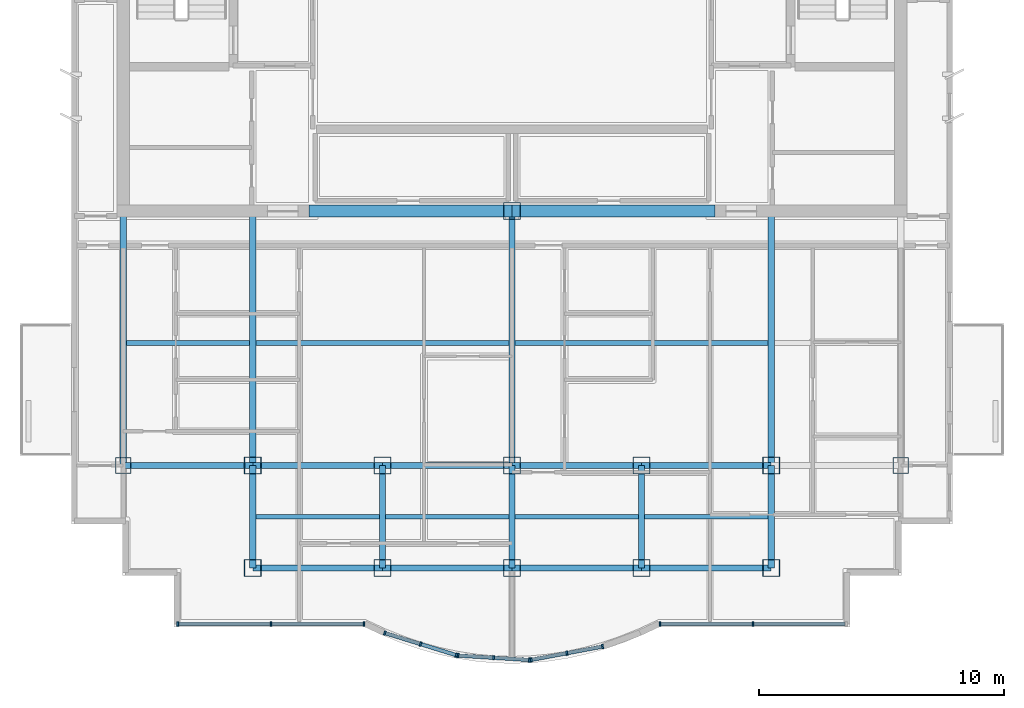
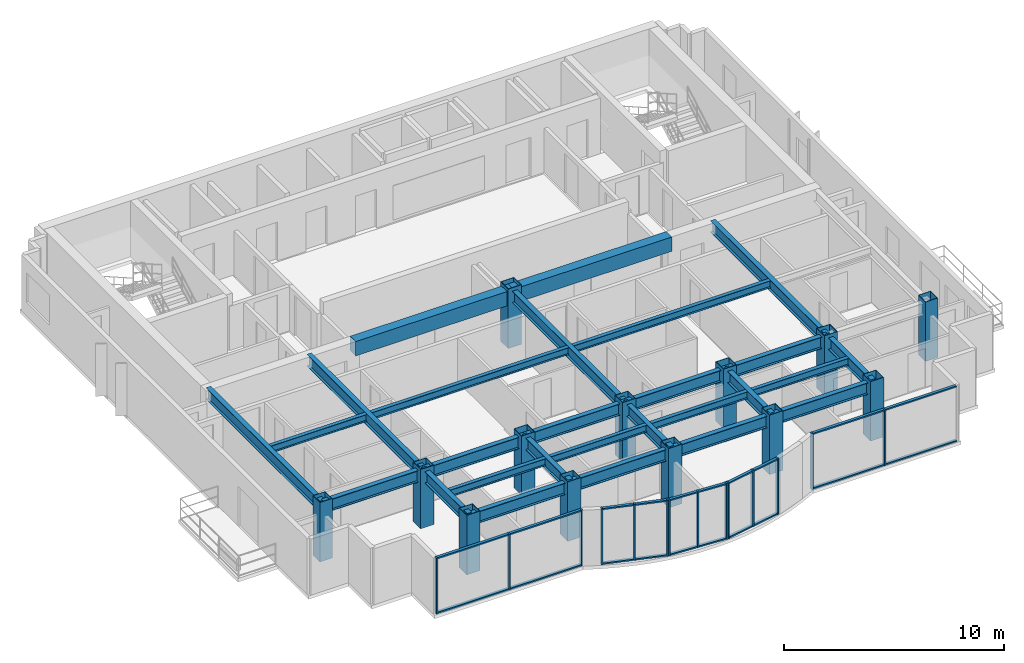
# One storey, part 1 of 9: 34 members, 27 beams, 13 columns, 5 elements without a shape of their own.
"""IFC4 building model written with IfcOpenShell, lengths in metres."""

import ifcopenshell
import ifcopenshell.guid

model = None  # the IFC model being written
_history = None  # IfcOwnerHistory: only IFC2X3 demands one
_inside = {}  # id of a spatial element -> (the spatial element, [elements in it])
_under = {}  # id of a project, library or spatial element -> (it, [spatial elements below it])
_declared = {}  # id of a project -> (the project, [libraries it declares])
_typed = {}  # id of a type object -> (the type object, [elements of that type])
_made_of = {}  # id of a material, layer set ... -> (it, [elements and type objects made of it])


def new_model(schema):
    """Start an empty IFC model of exactly this schema.

    Asked for "IFC4X3", IfcOpenShell would pick the latest addendum, in which some entities
    have other attributes; the version numbers below select the first issue.
    IFC2X3 requires an IfcOwnerHistory on every rooted entity: one is made here for all.
    """
    global model, _history
    if schema == "IFC4X3":
        model = ifcopenshell.file(schema_version=(4, 3, 0, 0))
    else:
        model = ifcopenshell.file(schema=schema)
    _inside.clear()
    _under.clear()
    _declared.clear()
    _typed.clear()
    _made_of.clear()
    _history = None
    if model.schema == "IFC2X3":
        org = make("IfcOrganization", Name="unknown")
        user = make(
            "IfcPersonAndOrganization",
            ThePerson=make("IfcPerson", FamilyName="unknown"),
            TheOrganization=org,
        )
        app = make(
            "IfcApplication",
            ApplicationDeveloper=org,
            Version="unknown",
            ApplicationFullName="unknown",
            ApplicationIdentifier="unknown",
        )
        _history = make(
            "IfcOwnerHistory",
            OwningUser=user,
            OwningApplication=app,
            ChangeAction="ADDED",
            CreationDate=0,
        )
    return model


def make(cls, **values):
    """One entity of the class cls with the attributes given. An attribute that is None is left unset."""
    return model.create_entity(
        cls, **{name: value for name, value in values.items() if value is not None}
    )


def rooted(cls, **values):
    """An entity with a GlobalId (a new one), such as an element, a storey or a relation."""
    return make(cls, GlobalId=ifcopenshell.guid.new(), OwnerHistory=_history, **values)


def si_unit(unit_type, name, prefix=None):
    """IfcSIUnit, for example si_unit("LENGTHUNIT", "METRE", prefix="MILLI")."""
    return make("IfcSIUnit", UnitType=unit_type, Prefix=prefix, Name=name)


def assignment(units):
    """IfcUnitAssignment: the units of a project."""
    return None if units is None else make("IfcUnitAssignment", Units=units)


def point(xyz):
    """IfcCartesianPoint."""
    return None if xyz is None else make("IfcCartesianPoint", Coordinates=xyz)


def direction(xyz):
    """IfcDirection."""
    return None if xyz is None else make("IfcDirection", DirectionRatios=xyz)


def frame(location, z_axis=None, x_axis=None):
    """IfcAxis2Placement3D, a coordinate frame: its origin and axes. An axis left out is left unset."""
    return make(
        "IfcAxis2Placement3D",
        Location=point(location),
        Axis=direction(z_axis),
        RefDirection=direction(x_axis),
    )


def frame_2d(location, x_axis=None):
    """IfcAxis2Placement2D, a coordinate frame in the plane: its origin and x axis."""
    return make(
        "IfcAxis2Placement2D", Location=point(location), RefDirection=direction(x_axis)
    )


def origin():
    """The frame at (0, 0, 0) with its axes left unset."""
    return frame((0.0, 0.0, 0.0))


def origin_2d():
    """The frame at (0, 0) in the plane with its x axis left unset."""
    return frame_2d((0.0, 0.0))


def place(relative_to, where):
    """IfcLocalPlacement: puts the frame where relative to a parent placement (None: the world)."""
    return make(
        "IfcLocalPlacement", PlacementRelTo=relative_to, RelativePlacement=where
    )


def context(
    kind, dimensions, precision=None, world=None, true_north=None, identifier=None
):
    """IfcGeometricRepresentationContext, for example the 3D "Model" context."""
    return make(
        "IfcGeometricRepresentationContext",
        ContextIdentifier=identifier,
        ContextType=kind,
        CoordinateSpaceDimension=dimensions,
        Precision=precision,
        WorldCoordinateSystem=world,
        TrueNorth=true_north,
    )


def subcontext(parent, identifier, kind, view, scale=None):
    """IfcGeometricRepresentationSubContext, for example "Body" below "Model"."""
    return make(
        "IfcGeometricRepresentationSubContext",
        ContextIdentifier=identifier,
        ContextType=kind,
        ParentContext=parent,
        TargetScale=scale,
        TargetView=view,
    )


def project(units=None, contexts=None):
    """IfcProject with its units and contexts."""
    return rooted(
        "IfcProject",
        Name="project",
        RepresentationContexts=contexts,
        UnitsInContext=assignment(units),
    )


def spatial(cls, under=None, at=None, **own):
    """A site, building, storey or space (cls), placed at a placement, below another one or the project."""
    s = rooted(cls, ObjectPlacement=at, **own)
    if under is not None:
        _under.setdefault(under.id(), (under, []))[1].append(s)
    return s


def profile(cls, at=None, kind="AREA", **sizes):
    """A parametric profile (cls). Its sizes go by their IFC names, for example OverallWidth=200.0."""
    return make(cls, ProfileType=kind, Position=at, **sizes)


def rectangle(**sizes):
    """IfcRectangleProfileDef."""
    return profile("IfcRectangleProfileDef", **sizes)


def hollow_rectangle(**sizes):
    """IfcRectangleHollowProfileDef."""
    return profile("IfcRectangleHollowProfileDef", **sizes)


def i_section(**sizes):
    """IfcIShapeProfileDef."""
    return profile("IfcIShapeProfileDef", **sizes)


def extrude(swept, where, along, depth):
    """IfcExtrudedAreaSolid: the profile swept, set in the frame where, extruded along a direction by depth."""
    return make(
        "IfcExtrudedAreaSolid",
        SweptArea=swept,
        Position=where,
        ExtrudedDirection=direction(along),
        Depth=depth,
    )


def shape(context_of_items, identifier, shape_type, items):
    """IfcShapeRepresentation: the items that make up one representation, for example the "Body"."""
    return make(
        "IfcShapeRepresentation",
        ContextOfItems=context_of_items,
        RepresentationIdentifier=identifier,
        RepresentationType=shape_type,
        Items=items,
    )


def source(mapping_origin, context_of_items, identifier, shape_type, items):
    """IfcRepresentationMap: a shape defined once, which mapped items show again and again."""
    return make(
        "IfcRepresentationMap",
        MappingOrigin=mapping_origin,
        MappedRepresentation=shape(context_of_items, identifier, shape_type, items),
    )


def transform(
    local_origin,
    x_axis=None,
    y_axis=None,
    z_axis=None,
    scale=None,
    scale2=None,
    scale3=None,
    uniform=True,
):
    """IfcCartesianTransformationOperator3D, or its non-uniform kind. x_axis, y_axis, z_axis: its Axis1, 2, 3."""
    if uniform:
        return make(
            "IfcCartesianTransformationOperator3D",
            Axis1=direction(x_axis),
            Axis2=direction(y_axis),
            LocalOrigin=point(local_origin),
            Scale=scale,
            Axis3=direction(z_axis),
        )
    return make(
        "IfcCartesianTransformationOperator3DnonUniform",
        Axis1=direction(x_axis),
        Axis2=direction(y_axis),
        LocalOrigin=point(local_origin),
        Scale=scale,
        Axis3=direction(z_axis),
        Scale2=scale2,
        Scale3=scale3,
    )


def mapped(mapping_source, mapping_target):
    """IfcMappedItem: shows the shape of a source again, moved by a transform."""
    return make(
        "IfcMappedItem", MappingSource=mapping_source, MappingTarget=mapping_target
    )


def material(Name=None, Category=None):
    """IfcMaterial."""
    return make("IfcMaterial", Name=Name, Category=Category)


def layer(
    of_material, thickness, ventilated=None, Name=None, Category=None, Priority=None
):
    """IfcMaterialLayer: one layer of a wall or slab, of a material (None: an air gap)."""
    return make(
        "IfcMaterialLayer",
        Material=of_material,
        LayerThickness=thickness,
        IsVentilated=ventilated,
        Name=Name,
        Category=Category,
        Priority=Priority,
    )


def layer_set(layers, Name=None):
    """IfcMaterialLayerSet."""
    return make("IfcMaterialLayerSet", MaterialLayers=layers, LayerSetName=Name)


def material_profile(
    of_material, cross_section, Name=None, Category=None, Priority=None
):
    """IfcMaterialProfile: a cross section and its material."""
    return make(
        "IfcMaterialProfile",
        Name=Name,
        Material=of_material,
        Profile=cross_section,
        Priority=Priority,
        Category=Category,
    )


def profile_set(profiles, Name=None, composite=None):
    """IfcMaterialProfileSet."""
    return make(
        "IfcMaterialProfileSet",
        Name=Name,
        MaterialProfiles=profiles,
        CompositeProfile=composite,
    )


def made_of(thing, what):
    """Note that an element or type object is made of a material, layer set ...; save() writes the relation."""
    if what is not None:
        _made_of.setdefault(what.id(), (what, []))[1].append(thing)
    return thing


def type_object(cls, material=None, **own):
    """A type object (cls), such as IfcWallType, which elements share."""
    return made_of(rooted(cls, **own), material)


def element(
    cls,
    number,
    at=None,
    inside=None,
    cuts=None,
    type_object=None,
    material=None,
    context=None,
    identifier="Body",
    shape_type=None,
    held_by="IfcProductDefinitionShape",
    body=None,
    shapes=None,
    **own,
):
    """One element of the class cls, such as IfcWall. Its Tag is "e" and its number.

    at: its placement. inside: the storey or other place that contains it. cuts: it is an
    opening in that element (IfcRelVoidsElement). A single representation is given by context,
    identifier, shape_type and body (its items); several are given by shapes. held_by: the class
    of the entity that holds the representations. save() writes the other relations.
    """
    e = rooted(cls, Tag="e%d" % number, ObjectPlacement=at, **own)
    if body is not None:
        shapes = [shape(context, identifier, shape_type, body)]
    if shapes is not None:
        e.Representation = make(held_by, Representations=shapes)
    if inside is not None:
        _inside.setdefault(inside.id(), (inside, []))[1].append(e)
    if cuts is not None:
        rooted(
            "IfcRelVoidsElement", RelatingBuildingElement=cuts, RelatedOpeningElement=e
        )
    if type_object is not None:
        _typed.setdefault(type_object.id(), (type_object, []))[1].append(e)
    return made_of(e, material)


def aggregate(whole, parts):
    """IfcRelAggregates: a whole, such as a stair, and the parts it consists of."""
    return rooted("IfcRelAggregates", RelatingObject=whole, RelatedObjects=parts)


def save(model, path):
    """Write the relations noted so far, then the file.

    IfcRelAggregates (storeys below a building ...), IfcRelContainedInSpatialStructure (elements
    in a storey), IfcRelDefinesByType, IfcRelAssociatesMaterial and IfcRelDeclares: one each for
    every whole, place, type object, material and project.
    """
    for whole, parts in _under.values():
        aggregate(whole, parts)
    for where, things in _inside.values():
        rooted(
            "IfcRelContainedInSpatialStructure",
            RelatedElements=things,
            RelatingStructure=where,
        )
    for kind, things in _typed.values():
        rooted("IfcRelDefinesByType", RelatedObjects=things, RelatingType=kind)
    for what, things in _made_of.values():
        rooted("IfcRelAssociatesMaterial", RelatedObjects=things, RelatingMaterial=what)
    for by, libraries in _declared.values():
        rooted("IfcRelDeclares", RelatingContext=by, RelatedDefinitions=libraries)
    model.write(path)


model = new_model("IFC4")

# Units and contexts
model_context = context("Model", 3, precision=1e-05, world=origin(), true_north=direction((0.0, 1.0)))
body_context = subcontext(model_context, "Body", "Model", "MODEL_VIEW")
ifc_project = project(units=[si_unit("LENGTHUNIT", "METRE"), si_unit("AREAUNIT", "SQUARE_METRE"), si_unit("VOLUMEUNIT", "CUBIC_METRE"), si_unit("PLANEANGLEUNIT", "RADIAN"), si_unit("MASSUNIT", "GRAM", prefix="KILO")], contexts=[model_context])

# Site, building, storey
site_placement = place(None, origin())
site = spatial("IfcSite", under=ifc_project, at=site_placement, CompositionType="ELEMENT")
building_placement = place(site_placement, origin())
building = spatial("IfcBuilding", under=site, at=building_placement, Name="Qianlan Lanfeng Residences", CompositionType="ELEMENT")
storey_placement = place(building_placement, frame((0.0, 0.0, 252.800048828125)))
storey = spatial("IfcBuildingStorey", under=building, at=storey_placement, Name="L70", CompositionType="ELEMENT", Elevation=252.800048828125)

# Columns
ifc_material_1 = material(Name="Steel SN490B", Category="steel")
ifc_material_profile_1 = material_profile(ifc_material_1, hollow_rectangle(XDim=0.699951171875, YDim=0.699951171875, WallThickness=0.02490234375, at=origin_2d()), Name="BOX 700x700x25")
ifc_profile_set_1 = profile_set([ifc_material_profile_1], Name="Steel SN490B")
column_type_1 = type_object("IfcColumnType", Name="C-B750", PredefinedType="COLUMN", material=ifc_profile_set_1)
for number, where, z_axis, x_axis, name in (
    (1, (26.5, 25.199951171875, 0.0), (0.0, 0.0, 1.0), (1.0, 0.0, 0.0), "L70 Structural Column CP_26.5_25.2"),
    (2, (15.89990234375, 14.800048828125, 0.0), (0.0, 0.0, 1.0), (1.0, 0.0, 0.0), "L70 Structural Column M_15.90_14.80"),
    (3, (15.89990234375, 10.60009765625, 0.0), (0.0, 0.0, 1.0), (1.0, 0.0, 0.0), "L70 Structural Column G_15.90_10.60"),
    (4, (21.199951171875, 14.800048828125, 0.0), (0.0, 0.0, 1.0), (1.0, 0.0, 0.0), "L70 Structural Column M_21.20_14.80"),
    (5, (21.199951171875, 10.60009765625, 0.0), (0.0, 0.0, 1.0), (1.0, 0.0, 0.0), "L70 Structural Column G_21.20_10.60"),
    (6, (26.5, 14.800048828125, 0.0), (0.0, 0.0, 1.0), (1.0, 0.0, 0.0), "L70 Structural Column M_26.50_14.80"),
    (7, (26.5, 10.60009765625, 0.0), (0.0, 0.0, 1.0), (1.0, 0.0, 0.0), "L70 Structural Column G_26.50_10.60"),
    (8, (31.800048828125, 14.800048828125, 0.0), (0.0, 0.0, 1.0), (1.0, 0.0, 0.0), "L70 Structural Column M_31.80_14.80"),
    (9, (31.800048828125, 10.60009765625, 0.0), (0.0, 0.0, 1.0), (1.0, 0.0, 0.0), "L70 Structural Column G_31.80_10.60"),
    (10, (37.10009765625, 14.800048828125, 0.0), (0.0, 0.0, 1.0), (1.0, 0.0, 0.0), "L70 Structural Column M_37.10_14.80"),
    (11, (37.10009765625, 10.60009765625, 0.0), (0.0, 0.0, 1.0), (1.0, 0.0, 0.0), "L70 Structural Column G_37.10_10.60"),
):
    element("IfcColumn", number, at=place(storey_placement, frame(where, z_axis=z_axis, x_axis=x_axis)), inside=storey, type_object=column_type_1, Name=name, PredefinedType="COLUMN", context=body_context, shape_type="SweptSolid", body=[
        extrude(hollow_rectangle(XDim=0.699951171875, YDim=0.699951171875, WallThickness=0.02490234375, at=origin_2d()), origin(), (0.0, 0.0, 1.0), 3.300048828125),
    ])
ifc_material_profile_2 = material_profile(ifc_material_1, hollow_rectangle(XDim=0.64990234375, YDim=0.64990234375, WallThickness=0.02197265625, at=origin_2d()), Name="BOX 650x650x22")
ifc_profile_set_2 = profile_set([ifc_material_profile_2], Name="Steel SN490B")
column_type_2 = type_object("IfcColumnType", Name="CE-B700", PredefinedType="COLUMN", material=ifc_profile_set_2)
for number, where, z_axis, x_axis, name in (
    (12, (10.60009765625, 14.800048828125, 0.0), (0.0, 0.0, 1.0), (1.0, 0.0, 0.0), "L70 Structural Column M_10.60_14.80"),
    (13, (42.39990234375, 14.800048828125, 0.0), (0.0, 0.0, 1.0), (1.0, 0.0, 0.0), "L70 Structural Column M_42.40_14.80"),
):
    element("IfcColumn", number, at=place(storey_placement, frame(where, z_axis=z_axis, x_axis=x_axis)), inside=storey, type_object=column_type_2, Name=name, PredefinedType="COLUMN", context=body_context, shape_type="SweptSolid", body=[
        extrude(hollow_rectangle(XDim=0.64990234375, YDim=0.64990234375, WallThickness=0.02197265625, at=origin_2d()), origin(), (0.0, 0.0, 1.0), 3.300048828125),
    ])

# Beams
ifc_material_profile_3 = material_profile(ifc_material_1, i_section(OverallWidth=0.25, OverallDepth=0.64990234375, WebThickness=0.012939453125, FlangeThickness=0.02197265625, at=origin_2d()), Name="H 650x250x13x22")
ifc_profile_set_3 = profile_set([ifc_material_profile_3], Name="Steel SN490B")
beam_type_1 = type_object("IfcBeamType", Name="G-650", PredefinedType="BEAM", material=ifc_profile_set_3)
for number, where, z_axis, x_axis, name in (
    (14, (15.89990234375, 10.60009765625, 2.784912109375), (1.0, 0.0, 0.0), (0.0, 1.0, 0.0), "Structural beam G-650"),
    (15, (21.199951171875, 10.60009765625, 2.784912109375), (1.0, 0.0, 0.0), (0.0, 1.0, 0.0), "Structural beam G-650"),
    (16, (26.5, 10.60009765625, 2.784912109375), (1.0, 0.0, 0.0), (0.0, 1.0, 0.0), "Structural beam G-650"),
    (17, (31.800048828125, 10.60009765625, 2.784912109375), (1.0, 0.0, 0.0), (0.0, 1.0, 0.0), "Structural beam G-650"),
):
    element("IfcBeam", number, at=place(storey_placement, frame(where, z_axis=z_axis, x_axis=x_axis)), inside=storey, type_object=beam_type_1, Name=name, PredefinedType="BEAM", context=body_context, shape_type="SweptSolid", body=[
        extrude(i_section(OverallWidth=0.25, OverallDepth=0.64990234375, WebThickness=0.012939453125, FlangeThickness=0.02197265625, at=origin_2d()), origin(), (0.0, 0.0, 1.0), 5.300048828125),
    ])
beam_1_placement = place(storey_placement, frame((10.60009765625, 14.800048828125, 2.784912109375), z_axis=(1.0, 0.0, 0.0), x_axis=(0.0, 1.0, 0.0)))
element("IfcBeam", 18, at=beam_1_placement, inside=storey, type_object=beam_type_1, Name="Structural beam G-650", PredefinedType="BEAM", context=body_context, shape_type="SweptSolid", body=[
    extrude(i_section(OverallWidth=0.25, OverallDepth=0.64990234375, WebThickness=0.012939453125, FlangeThickness=0.02197265625, at=origin_2d()), origin(), (0.0, 0.0, 1.0), 5.2998046875),
])
for number, where, z_axis, x_axis, name in (
    (19, (15.89990234375, 14.800048828125, 2.784912109375), (1.0, 0.0, 0.0), (0.0, 1.0, 0.0), "Structural beam G-650"),
    (20, (21.199951171875, 14.800048828125, 2.784912109375), (1.0, 0.0, 0.0), (0.0, 1.0, 0.0), "Structural beam G-650"),
    (21, (26.5, 14.800048828125, 2.784912109375), (1.0, 0.0, 0.0), (0.0, 1.0, 0.0), "Structural beam G-650"),
    (22, (31.800048828125, 14.800048828125, 2.784912109375), (1.0, 0.0, 0.0), (0.0, 1.0, 0.0), "Structural beam G-650"),
):
    element("IfcBeam", number, at=place(storey_placement, frame(where, z_axis=z_axis, x_axis=x_axis)), inside=storey, type_object=beam_type_1, Name=name, PredefinedType="BEAM", context=body_context, shape_type="SweptSolid", body=[
        extrude(i_section(OverallWidth=0.25, OverallDepth=0.64990234375, WebThickness=0.012939453125, FlangeThickness=0.02197265625, at=origin_2d()), origin(), (0.0, 0.0, 1.0), 5.300048828125),
    ])
beam_2_placement = place(storey_placement, frame((10.60009765625, 14.800048828125, 2.784912109375), z_axis=(0.0, 1.0, 0.0), x_axis=(-1.0, 0.0, 0.0)))
element("IfcBeam", 23, at=beam_2_placement, inside=storey, type_object=beam_type_1, Name="Structural beam G-650", PredefinedType="BEAM", context=body_context, shape_type="SweptSolid", body=[
    extrude(i_section(OverallWidth=0.25, OverallDepth=0.64990234375, WebThickness=0.012939453125, FlangeThickness=0.02197265625, at=origin_2d()), origin(), (0.0, 0.0, 1.0), 10.39990234375),
])
beam_3_placement = place(storey_placement, frame((15.89990234375, 10.60009765625, 2.784912109375), z_axis=(0.0, 1.0, 0.0), x_axis=(-1.0, 0.0, 0.0)))
element("IfcBeam", 24, at=beam_3_placement, inside=storey, type_object=beam_type_1, Name="Structural beam G-650", PredefinedType="BEAM", context=body_context, shape_type="SweptSolid", body=[
    extrude(i_section(OverallWidth=0.25, OverallDepth=0.64990234375, WebThickness=0.012939453125, FlangeThickness=0.02197265625, at=origin_2d()), origin(), (0.0, 0.0, 1.0), 4.199951171875),
])
beam_4_placement = place(storey_placement, frame((15.89990234375, 14.800048828125, 2.784912109375), z_axis=(0.0, 1.0, 0.0), x_axis=(-1.0, 0.0, 0.0)))
element("IfcBeam", 25, at=beam_4_placement, inside=storey, type_object=beam_type_1, Name="Structural beam G-650", PredefinedType="BEAM", context=body_context, shape_type="SweptSolid", body=[
    extrude(i_section(OverallWidth=0.25, OverallDepth=0.64990234375, WebThickness=0.012939453125, FlangeThickness=0.02197265625, at=origin_2d()), origin(), (0.0, 0.0, 1.0), 10.39990234375),
])
for number, where, z_axis, x_axis, name in (
    (26, (21.199951171875, 10.60009765625, 2.784912109375), (0.0, 1.0, 0.0), (-1.0, 0.0, 0.0), "Structural beam G-650"),
    (27, (26.5, 10.60009765625, 2.784912109375), (0.0, 1.0, 0.0), (-1.0, 0.0, 0.0), "Structural beam G-650"),
):
    element("IfcBeam", number, at=place(storey_placement, frame(where, z_axis=z_axis, x_axis=x_axis)), inside=storey, type_object=beam_type_1, Name=name, PredefinedType="BEAM", context=body_context, shape_type="SweptSolid", body=[
        extrude(i_section(OverallWidth=0.25, OverallDepth=0.64990234375, WebThickness=0.012939453125, FlangeThickness=0.02197265625, at=origin_2d()), origin(), (0.0, 0.0, 1.0), 4.199951171875),
    ])
beam_5_placement = place(storey_placement, frame((26.5, 14.800048828125, 2.784912109375), z_axis=(0.0, 1.0, 0.0), x_axis=(-1.0, 0.0, 0.0)))
element("IfcBeam", 28, at=beam_5_placement, inside=storey, type_object=beam_type_1, Name="Structural beam G-650", PredefinedType="BEAM", context=body_context, shape_type="SweptSolid", body=[
    extrude(i_section(OverallWidth=0.25, OverallDepth=0.64990234375, WebThickness=0.012939453125, FlangeThickness=0.02197265625, at=origin_2d()), origin(), (0.0, 0.0, 1.0), 10.39990234375),
])
for number, where, z_axis, x_axis, name in (
    (29, (31.800048828125, 10.60009765625, 2.784912109375), (0.0, 1.0, 0.0), (-1.0, 0.0, 0.0), "Structural beam G-650"),
    (30, (37.10009765625, 10.60009765625, 2.784912109375), (0.0, 1.0, 0.0), (-1.0, 0.0, 0.0), "Structural beam G-650"),
):
    element("IfcBeam", number, at=place(storey_placement, frame(where, z_axis=z_axis, x_axis=x_axis)), inside=storey, type_object=beam_type_1, Name=name, PredefinedType="BEAM", context=body_context, shape_type="SweptSolid", body=[
        extrude(i_section(OverallWidth=0.25, OverallDepth=0.64990234375, WebThickness=0.012939453125, FlangeThickness=0.02197265625, at=origin_2d()), origin(), (0.0, 0.0, 1.0), 4.199951171875),
    ])
beam_6_placement = place(storey_placement, frame((37.10009765625, 14.800048828125, 2.784912109375), z_axis=(0.0, 1.0, 0.0), x_axis=(-1.0, 0.0, 0.0)))
element("IfcBeam", 31, at=beam_6_placement, inside=storey, type_object=beam_type_1, Name="Structural beam G-650", PredefinedType="BEAM", context=body_context, shape_type="SweptSolid", body=[
    extrude(i_section(OverallWidth=0.25, OverallDepth=0.64990234375, WebThickness=0.012939453125, FlangeThickness=0.02197265625, at=origin_2d()), origin(), (0.0, 0.0, 1.0), 10.39990234375),
])
ifc_material_profile_4 = material_profile(ifc_material_1, i_section(OverallWidth=0.199951171875, OverallDepth=0.39990234375, WebThickness=0.008056640625, FlangeThickness=0.012939453125, at=origin_2d()), Name="H 400x200x8x13")
ifc_profile_set_4 = profile_set([ifc_material_profile_4], Name="Steel SN490B")
beam_type_2 = type_object("IfcBeamType", Name="J-400", PredefinedType="JOIST", material=ifc_profile_set_4)
for number, where, z_axis, x_axis, name in (
    (32, (16.02490234375, 12.699951171875, 2.909912109375), (1.0, 0.0, 0.0), (0.0, 1.0, 0.0), "Structural beam J-400"),
    (33, (21.324951171875, 12.699951171875, 2.909912109375), (1.0, 0.0, 0.0), (0.0, 1.0, 0.0), "Structural beam J-400"),
    (34, (26.625, 12.699951171875, 2.909912109375), (1.0, 0.0, 0.0), (0.0, 1.0, 0.0), "Structural beam J-400"),
    (35, (31.925048828125, 12.699951171875, 2.909912109375), (1.0, 0.0, 0.0), (0.0, 1.0, 0.0), "Structural beam J-400"),
):
    element("IfcBeam", number, at=place(storey_placement, frame(where, z_axis=z_axis, x_axis=x_axis)), inside=storey, type_object=beam_type_2, Name=name, PredefinedType="JOIST", context=body_context, shape_type="SweptSolid", body=[
        extrude(i_section(OverallWidth=0.199951171875, OverallDepth=0.39990234375, WebThickness=0.008056640625, FlangeThickness=0.012939453125, at=origin_2d()), origin(), (0.0, 0.0, 1.0), 5.050048828125),
    ])
beam_7_placement = place(storey_placement, frame((10.72509765625, 19.800048828125, 2.909912109375), z_axis=(1.0, 0.0, 0.0), x_axis=(0.0, 1.0, 0.0)))
element("IfcBeam", 36, at=beam_7_placement, inside=storey, type_object=beam_type_2, Name="Structural beam J-400", PredefinedType="JOIST", context=body_context, shape_type="SweptSolid", body=[
    extrude(i_section(OverallWidth=0.199951171875, OverallDepth=0.39990234375, WebThickness=0.008056640625, FlangeThickness=0.012939453125, at=origin_2d()), origin(), (0.0, 0.0, 1.0), 5.0498046875),
])
for number, where, z_axis, x_axis, name in (
    (37, (16.02490234375, 19.800048828125, 2.909912109375), (1.0, 0.0, 0.0), (0.0, 1.0, 0.0), "Structural beam J-400"),
    (38, (26.625, 19.800048828125, 2.909912109375), (1.0, 0.0, 0.0), (0.0, 1.0, 0.0), "Structural beam J-400"),
):
    element("IfcBeam", number, at=place(storey_placement, frame(where, z_axis=z_axis, x_axis=x_axis)), inside=storey, type_object=beam_type_2, Name=name, PredefinedType="JOIST", context=body_context, shape_type="SweptSolid", body=[
        extrude(i_section(OverallWidth=0.199951171875, OverallDepth=0.39990234375, WebThickness=0.008056640625, FlangeThickness=0.012939453125, at=origin_2d()), origin(), (0.0, 0.0, 1.0), 10.35009765625),
    ])
ifc_material_2 = material(Name="Concrete C49", Category="concrete")
ifc_material_profile_5 = material_profile(ifc_material_2, rectangle(XDim=0.5, YDim=0.800048828125, at=origin_2d()), Name="RC 500x800")
ifc_profile_set_5 = profile_set([ifc_material_profile_5], Name="Concrete C49")
beam_type_3 = type_object("IfcBeamType", Name="LB-RC750", PredefinedType="BEAM", material=ifc_profile_set_5)
for number, where, z_axis, x_axis, name in (
    (39, (18.199951171875, 25.199951171875, 2.7099609375), (1.0, 0.0, 0.0), (0.0, 1.0, 0.0), "L70 Core Coupling Beam W"),
    (40, (26.5, 25.199951171875, 2.7099609375), (1.0, 0.0, 0.0), (0.0, 1.0, 0.0), "L70 Core Coupling Beam E"),
):
    element("IfcBeam", number, at=place(storey_placement, frame(where, z_axis=z_axis, x_axis=x_axis)), inside=storey, type_object=beam_type_3, Name=name, PredefinedType="BEAM", context=body_context, shape_type="SweptSolid", body=[
        extrude(rectangle(XDim=0.5, YDim=0.800048828125, at=origin_2d()), origin(), (0.0, 0.0, 1.0), 8.300048828125),
    ])

# Curtain wall, members
ifc_material_3 = material(Name="Anodised Bronze Aluminium 6063-T6", Category="aluminium")
ifc_layer = layer(ifc_material_3, 0.219970703125)
ifc_layer_set = layer_set([ifc_layer], Name="Anodised Bronze Aluminium 6063-T6")
curtain_wall_type = type_object("IfcCurtainWallType", Name="CW-06", PredefinedType="NOTDEFINED", material=ifc_layer_set)
curtain_wall_1_placement = place(storey_placement, origin())
curtain_wall_1 = element("IfcCurtainWall", 41, at=curtain_wall_1_placement, inside=storey, type_object=curtain_wall_type, Name="L70 Unitised Curtain Wall CWR-L70-01 (CW-06)", PredefinedType="NOTDEFINED")
ifc_material_profile_6 = material_profile(ifc_material_3, rectangle(XDim=0.074951171875, YDim=0.179931640625, at=origin_2d()), Name="ALU MULLION 75x180")
ifc_profile_set_6 = profile_set([ifc_material_profile_6], Name="Anodised Bronze Aluminium 6063-T6")
member_type_1 = type_object("IfcMemberType", Name="CWM-180", PredefinedType="MULLION", material=ifc_profile_set_6)
shared_shape_1 = source(origin(), body_context, "Body", "SweptSolid", [
    extrude(rectangle(XDim=0.074951171875, YDim=0.179931640625, at=origin_2d()), origin(), (0.0, 0.0, 1.0), 3.10986328125),
])
member_1_placement = place(storey_placement, frame((12.83740234375, 8.320068359375, 0.0), z_axis=(0.0, 0.0, 1.0), x_axis=(1.0, 0.0, 0.0)))
member_1 = element("IfcMember", 42, at=member_1_placement, type_object=member_type_1, Name="CWR-L70-01 Mullion 1", PredefinedType="MULLION", context=body_context, shape_type="MappedRepresentation", body=[
    mapped(shared_shape_1, transform((0.0, 0.0, 0.0), scale=1.0)),
])
member_2_placement = place(storey_placement, frame((16.6435546875, 8.320068359375, 0.0), z_axis=(0.0, 0.0, 1.0), x_axis=(1.0, 0.0, 0.0)))
member_2 = element("IfcMember", 43, at=member_2_placement, type_object=member_type_1, Name="CWR-L70-01 Mullion 2", PredefinedType="MULLION", context=body_context, shape_type="MappedRepresentation", body=[
    mapped(shared_shape_1, transform((0.0, 0.0, 0.0), scale=1.0)),
])
member_3_placement = place(storey_placement, frame((20.449462890625, 8.320068359375, 0.0), z_axis=(0.0, 0.0, 1.0), x_axis=(1.0, 0.0, 0.0)))
member_3 = element("IfcMember", 44, at=member_3_placement, type_object=member_type_1, Name="CWR-L70-01 Mullion 3", PredefinedType="MULLION", context=body_context, shape_type="MappedRepresentation", body=[
    mapped(shared_shape_1, transform((0.0, 0.0, 0.0), scale=1.0)),
])

curtain_wall_2_placement = place(storey_placement, origin())
curtain_wall_2 = element("IfcCurtainWall", 45, at=curtain_wall_2_placement, inside=storey, type_object=curtain_wall_type, Name="L70 Unitised Curtain Wall CWR-L70-02 (CW-06)", PredefinedType="NOTDEFINED")
member_4_placement = place(storey_placement, frame((21.298828125, 7.947021484375, 0.0), z_axis=(0.0, 0.0, 1.0), x_axis=(0.955079962155, -0.296348217287, 0.0)))
member_4 = element("IfcMember", 46, at=member_4_placement, type_object=member_type_1, Name="CWR-L70-02 Mullion 1", PredefinedType="MULLION", context=body_context, shape_type="MappedRepresentation", body=[
    mapped(shared_shape_1, transform((0.0, 0.0, 0.0), scale=1.0)),
])
member_5_placement = place(storey_placement, frame((22.760009765625, 7.493408203125, 0.0), z_axis=(0.0, 0.0, 1.0), x_axis=(0.955079962155, -0.296348217287, 0.0)))
member_5 = element("IfcMember", 47, at=member_5_placement, type_object=member_type_1, Name="CWR-L70-02 Mullion 2", PredefinedType="MULLION", context=body_context, shape_type="MappedRepresentation", body=[
    mapped(shared_shape_1, transform((0.0, 0.0, 0.0), scale=1.0)),
])
member_6_placement = place(storey_placement, frame((24.22119140625, 7.0400390625, 0.0), z_axis=(0.0, 0.0, 1.0), x_axis=(0.955079962155, -0.296348217287, 0.0)))
member_6 = element("IfcMember", 48, at=member_6_placement, type_object=member_type_1, Name="CWR-L70-02 Mullion 3", PredefinedType="MULLION", context=body_context, shape_type="MappedRepresentation", body=[
    mapped(shared_shape_1, transform((0.0, 0.0, 0.0), scale=1.0)),
])

curtain_wall_3_placement = place(storey_placement, origin())
curtain_wall_3 = element("IfcCurtainWall", 49, at=curtain_wall_3_placement, inside=storey, type_object=curtain_wall_type, Name="L70 Unitised Curtain Wall CWR-L70-03 (CW-06)", PredefinedType="NOTDEFINED")
member_7_placement = place(storey_placement, frame((24.29443359375, 7.026611328125, 0.0), z_axis=(0.0, 0.0, 1.0), x_axis=(0.998072054859, -0.062065878781, 0.0)))
member_7 = element("IfcMember", 50, at=member_7_placement, type_object=member_type_1, Name="CWR-L70-03 Mullion 1", PredefinedType="MULLION", context=body_context, shape_type="MappedRepresentation", body=[
    mapped(shared_shape_1, transform((0.0, 0.0, 0.0), scale=1.0)),
])
member_8_placement = place(storey_placement, frame((25.75244140625, 6.93603515625, 0.0), z_axis=(0.0, 0.0, 1.0), x_axis=(0.998072054859, -0.062065878781, 0.0)))
member_8 = element("IfcMember", 51, at=member_8_placement, type_object=member_type_1, Name="CWR-L70-03 Mullion 2", PredefinedType="MULLION", context=body_context, shape_type="MappedRepresentation", body=[
    mapped(shared_shape_1, transform((0.0, 0.0, 0.0), scale=1.0)),
])
member_9_placement = place(storey_placement, frame((27.210693359375, 6.84521484375, 0.0), z_axis=(0.0, 0.0, 1.0), x_axis=(0.998072054859, -0.062065878781, 0.0)))
member_9 = element("IfcMember", 52, at=member_9_placement, type_object=member_type_1, Name="CWR-L70-03 Mullion 3", PredefinedType="MULLION", context=body_context, shape_type="MappedRepresentation", body=[
    mapped(shared_shape_1, transform((0.0, 0.0, 0.0), scale=1.0)),
])

curtain_wall_4_placement = place(storey_placement, origin())
curtain_wall_4 = element("IfcCurtainWall", 53, at=curtain_wall_4_placement, inside=storey, type_object=curtain_wall_type, Name="L70 Unitised Curtain Wall CWR-L70-04 (CW-06)", PredefinedType="NOTDEFINED")
member_10_placement = place(storey_placement, frame((27.284912109375, 6.849853515625, 0.0), z_axis=(0.0, 0.0, 1.0), x_axis=(0.983039214023, 0.183395484386, 0.0)))
member_10 = element("IfcMember", 54, at=member_10_placement, type_object=member_type_1, Name="CWR-L70-04 Mullion 1", PredefinedType="MULLION", context=body_context, shape_type="MappedRepresentation", body=[
    mapped(shared_shape_1, transform((0.0, 0.0, 0.0), scale=1.0)),
])
member_11_placement = place(storey_placement, frame((28.743408203125, 7.1220703125, 0.0), z_axis=(0.0, 0.0, 1.0), x_axis=(0.983039214023, 0.183395484386, 0.0)))
member_11 = element("IfcMember", 55, at=member_11_placement, type_object=member_type_1, Name="CWR-L70-04 Mullion 2", PredefinedType="MULLION", context=body_context, shape_type="MappedRepresentation", body=[
    mapped(shared_shape_1, transform((0.0, 0.0, 0.0), scale=1.0)),
])
member_12_placement = place(storey_placement, frame((30.2021484375, 7.39404296875, 0.0), z_axis=(0.0, 0.0, 1.0), x_axis=(0.983039214023, 0.183395484386, 0.0)))
member_12 = element("IfcMember", 56, at=member_12_placement, type_object=member_type_1, Name="CWR-L70-04 Mullion 3", PredefinedType="MULLION", context=body_context, shape_type="MappedRepresentation", body=[
    mapped(shared_shape_1, transform((0.0, 0.0, 0.0), scale=1.0)),
])

curtain_wall_5_placement = place(storey_placement, origin())
curtain_wall_5 = element("IfcCurtainWall", 57, at=curtain_wall_5_placement, inside=storey, type_object=curtain_wall_type, Name="L70 Unitised Curtain Wall CWR-L70-05 (CW-06)", PredefinedType="NOTDEFINED")
member_13_placement = place(storey_placement, frame((32.550537109375, 8.320068359375, 0.0), z_axis=(0.0, 0.0, 1.0), x_axis=(1.0, 0.0, 0.0)))
member_13 = element("IfcMember", 58, at=member_13_placement, type_object=member_type_1, Name="CWR-L70-05 Mullion 1", PredefinedType="MULLION", context=body_context, shape_type="MappedRepresentation", body=[
    mapped(shared_shape_1, transform((0.0, 0.0, 0.0), scale=1.0)),
])
member_14_placement = place(storey_placement, frame((36.3564453125, 8.320068359375, 0.0), z_axis=(0.0, 0.0, 1.0), x_axis=(1.0, 0.0, 0.0)))
member_14 = element("IfcMember", 59, at=member_14_placement, type_object=member_type_1, Name="CWR-L70-05 Mullion 2", PredefinedType="MULLION", context=body_context, shape_type="MappedRepresentation", body=[
    mapped(shared_shape_1, transform((0.0, 0.0, 0.0), scale=1.0)),
])

# Member
ifc_material_profile_7 = material_profile(ifc_material_3, rectangle(XDim=0.074951171875, YDim=0.14990234375, at=origin_2d()), Name="ALU TRANSOM 75x150")
ifc_profile_set_7 = profile_set([ifc_material_profile_7], Name="Anodised Bronze Aluminium 6063-T6")
member_type_2 = type_object("IfcMemberType", Name="CWT-150", PredefinedType="USERDEFINED", material=ifc_profile_set_7)
shared_shape_2 = source(origin(), body_context, "Body", "SweptSolid", [
    extrude(rectangle(XDim=0.074951171875, YDim=0.14990234375, at=origin_2d()), origin(), (0.0, 0.0, 1.0), 3.73095703125),
])
member_15_placement = place(storey_placement, frame((12.875, 8.320068359375, 0.037353515625), z_axis=(1.0, 0.0, 0.0), x_axis=(0.0, 0.0, 1.0)))
member_15 = element("IfcMember", 60, at=member_15_placement, type_object=member_type_2, Name="CWR-L70-01 Transom 1-BOT", ObjectType="TRANSOM", PredefinedType="USERDEFINED", context=body_context, shape_type="MappedRepresentation", body=[
    mapped(shared_shape_2, transform((0.0, 0.0, 0.0), scale=1.0)),
])

member_16_placement = place(storey_placement, frame((12.875, 8.320068359375, 3.072509765625), z_axis=(1.0, 0.0, 0.0), x_axis=(0.0, 0.0, 1.0)))
member_16 = element("IfcMember", 61, at=member_16_placement, type_object=member_type_2, Name="CWR-L70-01 Transom 1-TOP", ObjectType="TRANSOM", PredefinedType="USERDEFINED", context=body_context, shape_type="MappedRepresentation", body=[
    mapped(shared_shape_2, transform((0.0, 0.0, 0.0), scale=1.0)),
])

member_17_placement = place(storey_placement, frame((36.39404296875, 8.320068359375, 0.037353515625), z_axis=(1.0, 0.0, 0.0), x_axis=(0.0, 0.0, 1.0)))
member_17 = element("IfcMember", 62, at=member_17_placement, type_object=member_type_2, Name="CWR-L70-05 Transom 2-BOT", ObjectType="TRANSOM", PredefinedType="USERDEFINED", context=body_context, shape_type="MappedRepresentation", body=[
    mapped(shared_shape_2, transform((0.0, 0.0, 0.0), scale=1.0)),
])

member_18_placement = place(storey_placement, frame((36.39404296875, 8.320068359375, 3.072509765625), z_axis=(1.0, 0.0, 0.0), x_axis=(0.0, 0.0, 1.0)))
member_18 = element("IfcMember", 63, at=member_18_placement, type_object=member_type_2, Name="CWR-L70-05 Transom 2-TOP", ObjectType="TRANSOM", PredefinedType="USERDEFINED", context=body_context, shape_type="MappedRepresentation", body=[
    mapped(shared_shape_2, transform((0.0, 0.0, 0.0), scale=1.0)),
])

shared_shape_3 = source(origin(), body_context, "Body", "SweptSolid", [
    extrude(rectangle(XDim=0.074951171875, YDim=0.14990234375, at=origin_2d()), origin(), (0.0, 0.0, 1.0), 3.731201171875),
])
member_19_placement = place(storey_placement, frame((16.680908203125, 8.320068359375, 0.037353515625), z_axis=(1.0, 0.0, 0.0), x_axis=(0.0, 0.0, 1.0)))
member_19 = element("IfcMember", 64, at=member_19_placement, type_object=member_type_2, Name="CWR-L70-01 Transom 2-BOT", ObjectType="TRANSOM", PredefinedType="USERDEFINED", context=body_context, shape_type="MappedRepresentation", body=[
    mapped(shared_shape_3, transform((0.0, 0.0, 0.0), scale=1.0)),
])

member_20_placement = place(storey_placement, frame((16.680908203125, 8.320068359375, 3.072509765625), z_axis=(1.0, 0.0, 0.0), x_axis=(0.0, 0.0, 1.0)))
member_20 = element("IfcMember", 65, at=member_20_placement, type_object=member_type_2, Name="CWR-L70-01 Transom 2-TOP", ObjectType="TRANSOM", PredefinedType="USERDEFINED", context=body_context, shape_type="MappedRepresentation", body=[
    mapped(shared_shape_3, transform((0.0, 0.0, 0.0), scale=1.0)),
])

aggregate(curtain_wall_1, [member_1, member_2, member_3, member_15, member_16, member_19, member_20])

member_21_placement = place(storey_placement, frame((32.587890625, 8.320068359375, 0.037353515625), z_axis=(1.0, 0.0, 0.0), x_axis=(0.0, 0.0, 1.0)))
member_21 = element("IfcMember", 66, at=member_21_placement, type_object=member_type_2, Name="CWR-L70-05 Transom 1-BOT", ObjectType="TRANSOM", PredefinedType="USERDEFINED", context=body_context, shape_type="MappedRepresentation", body=[
    mapped(shared_shape_3, transform((0.0, 0.0, 0.0), scale=1.0)),
])

member_22_placement = place(storey_placement, frame((32.587890625, 8.320068359375, 3.072509765625), z_axis=(1.0, 0.0, 0.0), x_axis=(0.0, 0.0, 1.0)))
member_22 = element("IfcMember", 67, at=member_22_placement, type_object=member_type_2, Name="CWR-L70-05 Transom 1-TOP", ObjectType="TRANSOM", PredefinedType="USERDEFINED", context=body_context, shape_type="MappedRepresentation", body=[
    mapped(shared_shape_3, transform((0.0, 0.0, 0.0), scale=1.0)),
])

aggregate(curtain_wall_5, [member_13, member_14, member_21, member_22, member_17, member_18])

shared_shape_4 = source(origin(), body_context, "Body", "SweptSolid", [
    extrude(rectangle(XDim=0.074951171875, YDim=0.14990234375, at=origin_2d()), origin(), (0.0, 0.0, 1.0), 1.454833984375),
])
member_23_placement = place(storey_placement, frame((21.334716796875, 7.935791015625, 0.037353515625), z_axis=(0.955072327302, -0.296372822002, 0.0), x_axis=(0.0, 0.0, 1.0)))
member_23 = element("IfcMember", 68, at=member_23_placement, type_object=member_type_2, Name="CWR-L70-02 Transom 1-BOT", ObjectType="TRANSOM", PredefinedType="USERDEFINED", context=body_context, shape_type="MappedRepresentation", body=[
    mapped(shared_shape_4, transform((0.0, 0.0, 0.0), scale=1.0)),
])

member_24_placement = place(storey_placement, frame((21.334716796875, 7.935791015625, 3.072509765625), z_axis=(0.955072327302, -0.296372822002, 0.0), x_axis=(0.0, 0.0, 1.0)))
member_24 = element("IfcMember", 69, at=member_24_placement, type_object=member_type_2, Name="CWR-L70-02 Transom 1-TOP", ObjectType="TRANSOM", PredefinedType="USERDEFINED", context=body_context, shape_type="MappedRepresentation", body=[
    mapped(shared_shape_4, transform((0.0, 0.0, 0.0), scale=1.0)),
])

member_25_placement = place(storey_placement, frame((22.7958984375, 7.482421875, 0.037353515625), z_axis=(0.955072327302, -0.296372822002, 0.0), x_axis=(0.0, 0.0, 1.0)))
member_25 = element("IfcMember", 70, at=member_25_placement, type_object=member_type_2, Name="CWR-L70-02 Transom 2-BOT", ObjectType="TRANSOM", PredefinedType="USERDEFINED", context=body_context, shape_type="MappedRepresentation", body=[
    mapped(shared_shape_4, transform((0.0, 0.0, 0.0), scale=1.0)),
])

member_26_placement = place(storey_placement, frame((22.7958984375, 7.482421875, 3.072509765625), z_axis=(0.955072327302, -0.296372822002, 0.0), x_axis=(0.0, 0.0, 1.0)))
member_26 = element("IfcMember", 71, at=member_26_placement, type_object=member_type_2, Name="CWR-L70-02 Transom 2-TOP", ObjectType="TRANSOM", PredefinedType="USERDEFINED", context=body_context, shape_type="MappedRepresentation", body=[
    mapped(shared_shape_4, transform((0.0, 0.0, 0.0), scale=1.0)),
])

aggregate(curtain_wall_2, [member_4, member_5, member_6, member_23, member_24, member_25, member_26])

shared_shape_5 = source(origin(), body_context, "Body", "SweptSolid", [
    extrude(rectangle(XDim=0.074951171875, YDim=0.14990234375, at=origin_2d()), origin(), (0.0, 0.0, 1.0), 1.385986328125),
])
member_27_placement = place(storey_placement, frame((24.331787109375, 7.0244140625, 0.037353515625), z_axis=(0.998064896304, -0.062180887468, 0.0), x_axis=(0.0, 0.0, 1.0)))
member_27 = element("IfcMember", 72, at=member_27_placement, type_object=member_type_2, Name="CWR-L70-03 Transom 1-BOT", ObjectType="TRANSOM", PredefinedType="USERDEFINED", context=body_context, shape_type="MappedRepresentation", body=[
    mapped(shared_shape_5, transform((0.0, 0.0, 0.0), scale=1.0)),
])

member_28_placement = place(storey_placement, frame((24.331787109375, 7.0244140625, 3.072509765625), z_axis=(0.998064896304, -0.062180887468, 0.0), x_axis=(0.0, 0.0, 1.0)))
member_28 = element("IfcMember", 73, at=member_28_placement, type_object=member_type_2, Name="CWR-L70-03 Transom 1-TOP", ObjectType="TRANSOM", PredefinedType="USERDEFINED", context=body_context, shape_type="MappedRepresentation", body=[
    mapped(shared_shape_5, transform((0.0, 0.0, 0.0), scale=1.0)),
])

member_29_placement = place(storey_placement, frame((25.789794921875, 6.93359375, 0.037353515625), z_axis=(0.998075812955, -0.062005415842, 0.0), x_axis=(0.0, 0.0, 1.0)))
member_29 = element("IfcMember", 74, at=member_29_placement, type_object=member_type_2, Name="CWR-L70-03 Transom 2-BOT", ObjectType="TRANSOM", PredefinedType="USERDEFINED", context=body_context, shape_type="MappedRepresentation", body=[
    mapped(shared_shape_5, transform((0.0, 0.0, 0.0), scale=1.0)),
])

member_30_placement = place(storey_placement, frame((25.789794921875, 6.93359375, 3.072509765625), z_axis=(0.998075812955, -0.062005415842, 0.0), x_axis=(0.0, 0.0, 1.0)))
member_30 = element("IfcMember", 75, at=member_30_placement, type_object=member_type_2, Name="CWR-L70-03 Transom 2-TOP", ObjectType="TRANSOM", PredefinedType="USERDEFINED", context=body_context, shape_type="MappedRepresentation", body=[
    mapped(shared_shape_5, transform((0.0, 0.0, 0.0), scale=1.0)),
])

aggregate(curtain_wall_3, [member_7, member_8, member_9, member_27, member_28, member_29, member_30])

shared_shape_6 = source(origin(), body_context, "Body", "SweptSolid", [
    extrude(rectangle(XDim=0.074951171875, YDim=0.14990234375, at=origin_2d()), origin(), (0.0, 0.0, 1.0), 1.40869140625),
])
member_31_placement = place(storey_placement, frame((27.32177734375, 6.856689453125, 0.037353515625), z_axis=(0.98304441684, 0.183367593973, 0.0), x_axis=(0.0, 0.0, 1.0)))
member_31 = element("IfcMember", 76, at=member_31_placement, type_object=member_type_2, Name="CWR-L70-04 Transom 1-BOT", ObjectType="TRANSOM", PredefinedType="USERDEFINED", context=body_context, shape_type="MappedRepresentation", body=[
    mapped(shared_shape_6, transform((0.0, 0.0, 0.0), scale=1.0)),
])

member_32_placement = place(storey_placement, frame((27.32177734375, 6.856689453125, 3.072509765625), z_axis=(0.98304441684, 0.183367593973, 0.0), x_axis=(0.0, 0.0, 1.0)))
member_32 = element("IfcMember", 77, at=member_32_placement, type_object=member_type_2, Name="CWR-L70-04 Transom 1-TOP", ObjectType="TRANSOM", PredefinedType="USERDEFINED", context=body_context, shape_type="MappedRepresentation", body=[
    mapped(shared_shape_6, transform((0.0, 0.0, 0.0), scale=1.0)),
])

member_33_placement = place(storey_placement, frame((28.780517578125, 7.12890625, 0.037353515625), z_axis=(0.98304441684, 0.183367593973, 0.0), x_axis=(0.0, 0.0, 1.0)))
member_33 = element("IfcMember", 78, at=member_33_placement, type_object=member_type_2, Name="CWR-L70-04 Transom 2-BOT", ObjectType="TRANSOM", PredefinedType="USERDEFINED", context=body_context, shape_type="MappedRepresentation", body=[
    mapped(shared_shape_6, transform((0.0, 0.0, 0.0), scale=1.0)),
])

member_34_placement = place(storey_placement, frame((28.780517578125, 7.12890625, 3.072509765625), z_axis=(0.98304441684, 0.183367593973, 0.0), x_axis=(0.0, 0.0, 1.0)))
member_34 = element("IfcMember", 79, at=member_34_placement, type_object=member_type_2, Name="CWR-L70-04 Transom 2-TOP", ObjectType="TRANSOM", PredefinedType="USERDEFINED", context=body_context, shape_type="MappedRepresentation", body=[
    mapped(shared_shape_6, transform((0.0, 0.0, 0.0), scale=1.0)),
])

aggregate(curtain_wall_4, [member_10, member_11, member_12, member_31, member_32, member_33, member_34])

save(model, "model.ifc")
